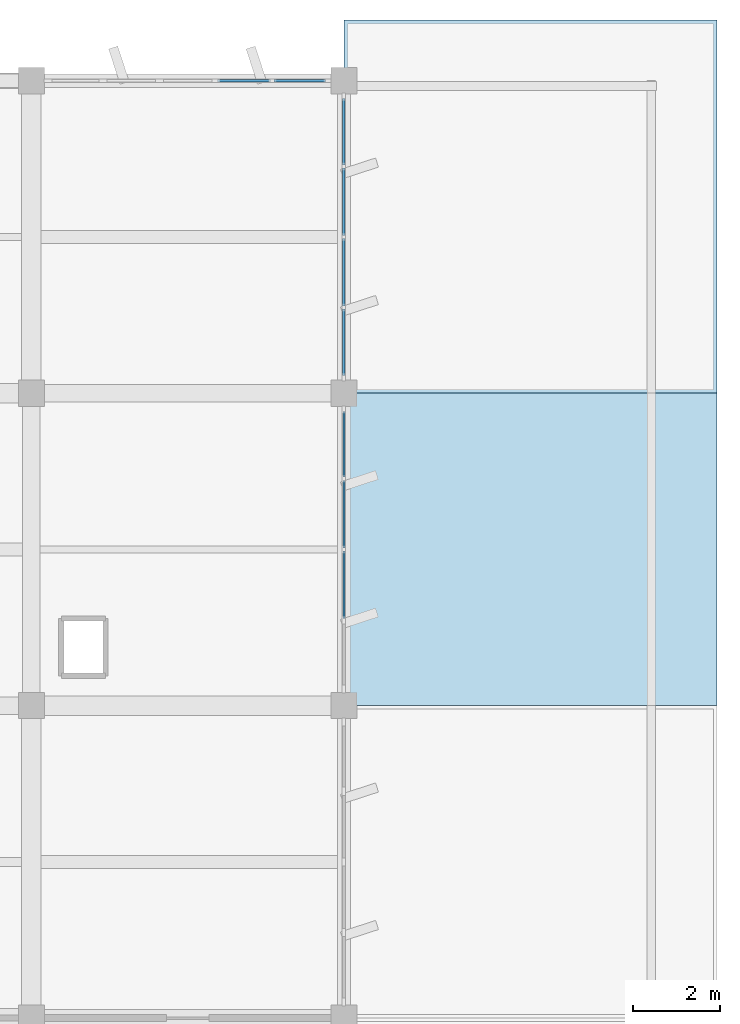
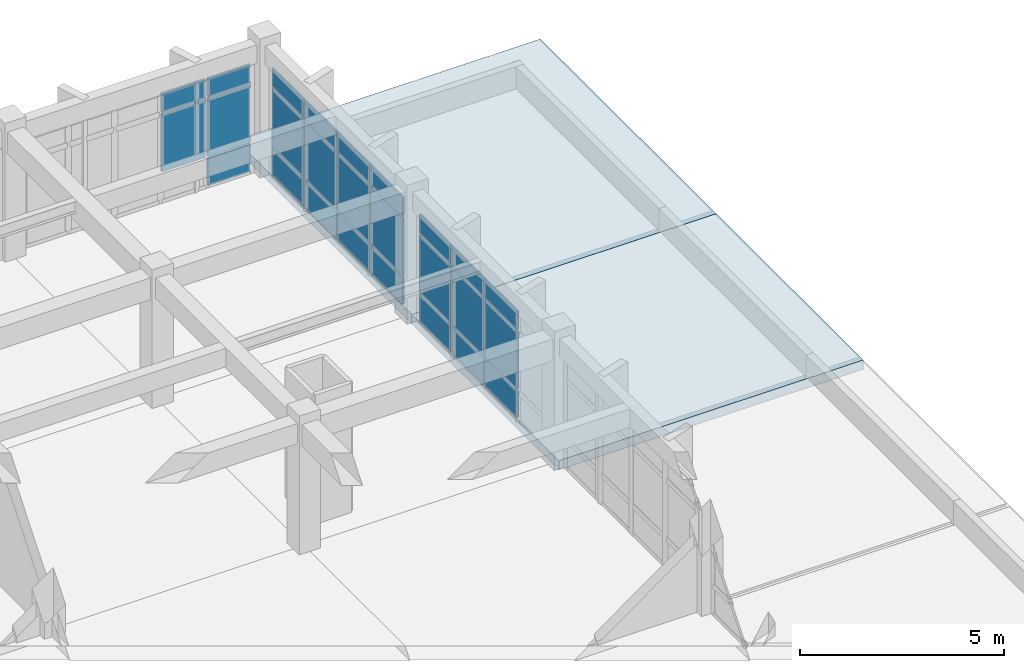
# One storey, part 44 of 62: 26 plates, 2 slabs, 3 elements without a shape of their own.
"""IFC4 building model written with IfcOpenShell, lengths in metres."""

from ifc_helpers import new_model, si_unit, direction, frame, origin, origin_2d, place, context, subcontext, project, spatial, polyline, rectangle, outline, extrude, material, layer, layer_set, type_object, element, aggregate, save


model = new_model("IFC4")

# Units and contexts
model_context = context("Model", 3, precision=1e-05, world=origin(), true_north=direction((0.0, 1.0)))
body_context = subcontext(model_context, "Body", "Model", "MODEL_VIEW")
ifc_project = project(units=[si_unit("LENGTHUNIT", "METRE"), si_unit("AREAUNIT", "SQUARE_METRE"), si_unit("VOLUMEUNIT", "CUBIC_METRE"), si_unit("PLANEANGLEUNIT", "RADIAN"), si_unit("MASSUNIT", "GRAM", prefix="KILO")], contexts=[model_context])

# Site, building, storey
site_placement = place(None, origin())
site = spatial("IfcSite", under=ifc_project, at=site_placement, CompositionType="ELEMENT")
building_placement = place(site_placement, origin())
building = spatial("IfcBuilding", under=site, at=building_placement, Name="Kavelor Marine Aquarium", CompositionType="ELEMENT")
storey_placement = place(building_placement, frame((0.0, 0.0, 13.5)))
storey = spatial("IfcBuildingStorey", under=building, at=storey_placement, Name="L03", CompositionType="ELEMENT", Elevation=13.5)

# Curtain wall, plates
ifc_material_1 = material(Name="Thermally Broken Aluminium and Low-E Glass", Category="aluminium")
ifc_layer_1 = layer(ifc_material_1, 0.243896484375)
ifc_layer_set_1 = layer_set([ifc_layer_1], Name="CW-SYS13")
curtain_wall_type_1 = type_object("IfcCurtainWallType", Name="CW-SYS13", PredefinedType="USERDEFINED", material=ifc_layer_set_1)
curtain_wall_1_placement = place(storey_placement, origin())
curtain_wall_1 = element("IfcCurtainWall", 1, at=curtain_wall_1_placement, inside=storey, type_object=curtain_wall_type_1, Name="cw:y:L03:20_13", ObjectType="Curtain Wall", PredefinedType="USERDEFINED")
ifc_material_2 = material(Name="Solar-Control Double Low-E Glazing", Category="glass")
ifc_layer_2 = layer(ifc_material_2, 0.050048828125)
ifc_layer_set_2 = layer_set([ifc_layer_2], Name="CWP-13")
plate_type_1 = type_object("IfcPlateType", Name="CWP-13", PredefinedType="CURTAIN_PANEL", material=ifc_layer_set_2)
plate_1_placement = place(storey_placement, frame((147.199951171875, 99.186279296875, 0.074951171875), z_axis=(0.0, 0.0, 1.0), x_axis=(0.0, 1.0, 0.0)))
plate_1 = element("IfcPlate", 2, at=plate_1_placement, type_object=plate_type_1, Name="CW13 panel 2.1", PredefinedType="CURTAIN_PANEL", context=body_context, shape_type="SweptSolid", body=[
    extrude(rectangle(XDim=1.552490234375, YDim=0.050048828125, at=origin_2d()), origin(), (0.0, 0.0, 1.0), 0.78759765625),
])
plate_2_placement = place(storey_placement, frame((147.199951171875, 99.186279296875, 0.9375), z_axis=(0.0, 0.0, 1.0), x_axis=(0.0, 1.0, 0.0)))
plate_2 = element("IfcPlate", 3, at=plate_2_placement, type_object=plate_type_1, Name="CW13 panel 2.2", PredefinedType="CURTAIN_PANEL", context=body_context, shape_type="SweptSolid", body=[
    extrude(rectangle(XDim=1.552490234375, YDim=0.050048828125, at=origin_2d()), origin(), (0.0, 0.0, 1.0), 1.695068359375),
])
plate_3_placement = place(storey_placement, frame((147.199951171875, 99.186279296875, 2.70751953125), z_axis=(0.0, 0.0, 1.0), x_axis=(0.0, 1.0, 0.0)))
plate_3 = element("IfcPlate", 4, at=plate_3_placement, type_object=plate_type_1, Name="CW13 panel 2.3", PredefinedType="CURTAIN_PANEL", context=body_context, shape_type="SweptSolid", body=[
    extrude(rectangle(XDim=1.552490234375, YDim=0.050048828125, at=origin_2d()), origin(), (0.0, 0.0, 1.0), 0.53759765625),
])
plate_4_placement = place(storey_placement, frame((147.199951171875, 100.813720703125, 0.074951171875), z_axis=(0.0, 0.0, 1.0), x_axis=(0.0, 1.0, 0.0)))
plate_4 = element("IfcPlate", 5, at=plate_4_placement, type_object=plate_type_1, Name="CW13 panel 3.1", PredefinedType="CURTAIN_PANEL", context=body_context, shape_type="SweptSolid", body=[
    extrude(rectangle(XDim=1.552490234375, YDim=0.050048828125, at=origin_2d()), origin(), (0.0, 0.0, 1.0), 0.78759765625),
])
plate_5_placement = place(storey_placement, frame((147.199951171875, 100.813720703125, 0.9375), z_axis=(0.0, 0.0, 1.0), x_axis=(0.0, 1.0, 0.0)))
plate_5 = element("IfcPlate", 6, at=plate_5_placement, type_object=plate_type_1, Name="CW13 panel 3.2", PredefinedType="CURTAIN_PANEL", context=body_context, shape_type="SweptSolid", body=[
    extrude(rectangle(XDim=1.552490234375, YDim=0.050048828125, at=origin_2d()), origin(), (0.0, 0.0, 1.0), 1.695068359375),
])
plate_6_placement = place(storey_placement, frame((147.199951171875, 100.813720703125, 2.70751953125), z_axis=(0.0, 0.0, 1.0), x_axis=(0.0, 1.0, 0.0)))
plate_6 = element("IfcPlate", 7, at=plate_6_placement, type_object=plate_type_1, Name="CW13 panel 3.3", PredefinedType="CURTAIN_PANEL", context=body_context, shape_type="SweptSolid", body=[
    extrude(rectangle(XDim=1.552490234375, YDim=0.050048828125, at=origin_2d()), origin(), (0.0, 0.0, 1.0), 0.53759765625),
])
plate_7_placement = place(storey_placement, frame((147.199951171875, 102.422607421875, 0.074951171875), z_axis=(0.0, 0.0, 1.0), x_axis=(0.0, 1.0, 0.0)))
plate_7 = element("IfcPlate", 8, at=plate_7_placement, type_object=plate_type_1, Name="CW13 panel 4.1", PredefinedType="CURTAIN_PANEL", context=body_context, shape_type="SweptSolid", body=[
    extrude(rectangle(XDim=1.514892578125, YDim=0.050048828125, at=origin_2d()), origin(), (0.0, 0.0, 1.0), 0.78759765625),
])
plate_8_placement = place(storey_placement, frame((147.199951171875, 102.422607421875, 0.9375), z_axis=(0.0, 0.0, 1.0), x_axis=(0.0, 1.0, 0.0)))
plate_8 = element("IfcPlate", 9, at=plate_8_placement, type_object=plate_type_1, Name="CW13 panel 4.2", PredefinedType="CURTAIN_PANEL", context=body_context, shape_type="SweptSolid", body=[
    extrude(rectangle(XDim=1.514892578125, YDim=0.050048828125, at=origin_2d()), origin(), (0.0, 0.0, 1.0), 1.695068359375),
])
plate_9_placement = place(storey_placement, frame((147.199951171875, 102.422607421875, 2.70751953125), z_axis=(0.0, 0.0, 1.0), x_axis=(0.0, 1.0, 0.0)))
plate_9 = element("IfcPlate", 10, at=plate_9_placement, type_object=plate_type_1, Name="CW13 panel 4.3", PredefinedType="CURTAIN_PANEL", context=body_context, shape_type="SweptSolid", body=[
    extrude(rectangle(XDim=1.514892578125, YDim=0.050048828125, at=origin_2d()), origin(), (0.0, 0.0, 1.0), 0.53759765625),
])
aggregate(curtain_wall_1, [plate_1, plate_2, plate_3, plate_4, plate_5, plate_6, plate_7, plate_8, plate_9])

ifc_material_3 = material(Name="Thermally Broken Aluminium and Low-E Glass", Category="aluminium")
ifc_layer_3 = layer(ifc_material_3, 0.251953125)
ifc_layer_set_3 = layer_set([ifc_layer_3], Name="CW-SYS14")
curtain_wall_type_2 = type_object("IfcCurtainWallType", Name="CW-SYS14", PredefinedType="USERDEFINED", material=ifc_layer_set_3)
curtain_wall_2_placement = place(storey_placement, origin())
curtain_wall_2 = element("IfcCurtainWall", 11, at=curtain_wall_2_placement, inside=storey, type_object=curtain_wall_type_2, Name="cw:y:L03:20_14", ObjectType="Curtain Wall", PredefinedType="USERDEFINED")
ifc_material_4 = material(Name="Solar-Control Double Low-E Glazing", Category="glass")
ifc_layer_4 = layer(ifc_material_4, 0.052001953125)
ifc_layer_set_4 = layer_set([ifc_layer_4], Name="CWP-14")
plate_type_2 = type_object("IfcPlateType", Name="CWP-14", PredefinedType="CURTAIN_PANEL", material=ifc_layer_set_4)
plate_10_placement = place(storey_placement, frame((147.199951171875, 104.77490234375, 0.06494140625), z_axis=(0.0, 0.0, 1.0), x_axis=(0.0, 1.0, 0.0)))
plate_10 = element("IfcPlate", 12, at=plate_10_placement, type_object=plate_type_2, Name="CW14 panel 1.1", PredefinedType="CURTAIN_PANEL", context=body_context, shape_type="SweptSolid", body=[
    extrude(rectangle(XDim=1.530029296875, YDim=0.052001953125, at=origin_2d()), origin(), (0.0, 0.0, 1.0), 0.802490234375),
])
plate_11_placement = place(storey_placement, frame((147.199951171875, 104.77490234375, 0.932373046875), z_axis=(0.0, 0.0, 1.0), x_axis=(0.0, 1.0, 0.0)))
plate_11 = element("IfcPlate", 13, at=plate_11_placement, type_object=plate_type_2, Name="CW14 panel 1.2", PredefinedType="CURTAIN_PANEL", context=body_context, shape_type="SweptSolid", body=[
    extrude(rectangle(XDim=1.530029296875, YDim=0.052001953125, at=origin_2d()), origin(), (0.0, 0.0, 1.0), 1.705078125),
])
plate_12_placement = place(storey_placement, frame((147.199951171875, 104.77490234375, 2.70263671875), z_axis=(0.0, 0.0, 1.0), x_axis=(0.0, 1.0, 0.0)))
plate_12 = element("IfcPlate", 14, at=plate_12_placement, type_object=plate_type_2, Name="CW14 panel 1.3", PredefinedType="CURTAIN_PANEL", context=body_context, shape_type="SweptSolid", body=[
    extrude(rectangle(XDim=1.530029296875, YDim=0.052001953125, at=origin_2d()), origin(), (0.0, 0.0, 1.0), 0.552490234375),
])
plate_13_placement = place(storey_placement, frame((147.199951171875, 106.38623046875, 0.06494140625), z_axis=(0.0, 0.0, 1.0), x_axis=(0.0, 1.0, 0.0)))
plate_13 = element("IfcPlate", 15, at=plate_13_placement, type_object=plate_type_2, Name="CW14 panel 2.1", PredefinedType="CURTAIN_PANEL", context=body_context, shape_type="SweptSolid", body=[
    extrude(rectangle(XDim=1.5625, YDim=0.052001953125, at=origin_2d()), origin(), (0.0, 0.0, 1.0), 0.802490234375),
])
plate_14_placement = place(storey_placement, frame((147.199951171875, 106.38623046875, 0.932373046875), z_axis=(0.0, 0.0, 1.0), x_axis=(0.0, 1.0, 0.0)))
plate_14 = element("IfcPlate", 16, at=plate_14_placement, type_object=plate_type_2, Name="CW14 panel 2.2", PredefinedType="CURTAIN_PANEL", context=body_context, shape_type="SweptSolid", body=[
    extrude(rectangle(XDim=1.5625, YDim=0.052001953125, at=origin_2d()), origin(), (0.0, 0.0, 1.0), 1.705078125),
])
plate_15_placement = place(storey_placement, frame((147.199951171875, 106.38623046875, 2.70263671875), z_axis=(0.0, 0.0, 1.0), x_axis=(0.0, 1.0, 0.0)))
plate_15 = element("IfcPlate", 17, at=plate_15_placement, type_object=plate_type_2, Name="CW14 panel 2.3", PredefinedType="CURTAIN_PANEL", context=body_context, shape_type="SweptSolid", body=[
    extrude(rectangle(XDim=1.5625, YDim=0.052001953125, at=origin_2d()), origin(), (0.0, 0.0, 1.0), 0.552490234375),
])
plate_16_placement = place(storey_placement, frame((147.199951171875, 108.013671875, 0.06494140625), z_axis=(0.0, 0.0, 1.0), x_axis=(0.0, 1.0, 0.0)))
plate_16 = element("IfcPlate", 18, at=plate_16_placement, type_object=plate_type_2, Name="CW14 panel 3.1", PredefinedType="CURTAIN_PANEL", context=body_context, shape_type="SweptSolid", body=[
    extrude(rectangle(XDim=1.5625, YDim=0.052001953125, at=origin_2d()), origin(), (0.0, 0.0, 1.0), 0.802490234375),
])
plate_17_placement = place(storey_placement, frame((147.199951171875, 108.013671875, 0.932373046875), z_axis=(0.0, 0.0, 1.0), x_axis=(0.0, 1.0, 0.0)))
plate_17 = element("IfcPlate", 19, at=plate_17_placement, type_object=plate_type_2, Name="CW14 panel 3.2", PredefinedType="CURTAIN_PANEL", context=body_context, shape_type="SweptSolid", body=[
    extrude(rectangle(XDim=1.5625, YDim=0.052001953125, at=origin_2d()), origin(), (0.0, 0.0, 1.0), 1.705078125),
])
plate_18_placement = place(storey_placement, frame((147.199951171875, 108.013671875, 2.70263671875), z_axis=(0.0, 0.0, 1.0), x_axis=(0.0, 1.0, 0.0)))
plate_18 = element("IfcPlate", 20, at=plate_18_placement, type_object=plate_type_2, Name="CW14 panel 3.3", PredefinedType="CURTAIN_PANEL", context=body_context, shape_type="SweptSolid", body=[
    extrude(rectangle(XDim=1.5625, YDim=0.052001953125, at=origin_2d()), origin(), (0.0, 0.0, 1.0), 0.552490234375),
])
plate_19_placement = place(storey_placement, frame((147.199951171875, 109.625, 0.06494140625), z_axis=(0.0, 0.0, 1.0), x_axis=(0.0, 1.0, 0.0)))
plate_19 = element("IfcPlate", 21, at=plate_19_placement, type_object=plate_type_2, Name="CW14 panel 4.1", PredefinedType="CURTAIN_PANEL", context=body_context, shape_type="SweptSolid", body=[
    extrude(rectangle(XDim=1.530029296875, YDim=0.052001953125, at=origin_2d()), origin(), (0.0, 0.0, 1.0), 0.802490234375),
])
plate_20_placement = place(storey_placement, frame((147.199951171875, 109.625, 0.932373046875), z_axis=(0.0, 0.0, 1.0), x_axis=(0.0, 1.0, 0.0)))
plate_20 = element("IfcPlate", 22, at=plate_20_placement, type_object=plate_type_2, Name="CW14 panel 4.2", PredefinedType="CURTAIN_PANEL", context=body_context, shape_type="SweptSolid", body=[
    extrude(rectangle(XDim=1.530029296875, YDim=0.052001953125, at=origin_2d()), origin(), (0.0, 0.0, 1.0), 1.705078125),
])
plate_21_placement = place(storey_placement, frame((147.199951171875, 109.625, 2.70263671875), z_axis=(0.0, 0.0, 1.0), x_axis=(0.0, 1.0, 0.0)))
plate_21 = element("IfcPlate", 23, at=plate_21_placement, type_object=plate_type_2, Name="CW14 panel 4.3", PredefinedType="CURTAIN_PANEL", context=body_context, shape_type="SweptSolid", body=[
    extrude(rectangle(XDim=1.530029296875, YDim=0.052001953125, at=origin_2d()), origin(), (0.0, 0.0, 1.0), 0.552490234375),
])
aggregate(curtain_wall_2, [plate_10, plate_11, plate_12, plate_13, plate_14, plate_15, plate_16, plate_17, plate_18, plate_19, plate_20, plate_21])

ifc_material_5 = material(Name="Thermally Broken Aluminium and Low-E Glass", Category="aluminium")
ifc_layer_5 = layer(ifc_material_5, 0.219970703125)
ifc_layer_set_5 = layer_set([ifc_layer_5], Name="CW-SYS10")
curtain_wall_type_3 = type_object("IfcCurtainWallType", Name="CW-SYS10", PredefinedType="USERDEFINED", material=ifc_layer_set_5)
curtain_wall_3_placement = place(storey_placement, origin())
curtain_wall_3 = element("IfcCurtainWall", 24, at=curtain_wall_3_placement, inside=storey, type_object=curtain_wall_type_3, Name="cw:x:L03:19_15", ObjectType="Curtain Wall", PredefinedType="USERDEFINED")
ifc_material_6 = material(Name="Solar-Control Double Low-E Glazing", Category="glass")
ifc_layer_6 = layer(ifc_material_6, 0.068115234375)
ifc_layer_set_6 = layer_set([ifc_layer_6], Name="CWP-22")
plate_type_3 = type_object("IfcPlateType", Name="CWP-22", PredefinedType="CURTAIN_PANEL", material=ifc_layer_set_6)
plate_22_placement = place(storey_placement, frame((144.902099609375, 110.800048828125, 0.929931640625), z_axis=(0.0, 0.0, 1.0), x_axis=(1.0, 0.0, 0.0)))
plate_22 = element("IfcPlate", 25, at=plate_22_placement, type_object=plate_type_3, Name="CW10 panel 4.2", PredefinedType="CURTAIN_PANEL", context=body_context, shape_type="SweptSolid", body=[
    extrude(rectangle(XDim=1.22705078125, YDim=0.068115234375, at=origin_2d()), origin(), (0.0, 0.0, 1.0), 1.7099609375),
])
plate_23_placement = place(storey_placement, frame((144.902099609375, 110.800048828125, 2.699951171875), z_axis=(0.0, 0.0, 1.0), x_axis=(1.0, 0.0, 0.0)))
plate_23 = element("IfcPlate", 26, at=plate_23_placement, type_object=plate_type_3, Name="CW10 panel 4.3", PredefinedType="CURTAIN_PANEL", context=body_context, shape_type="SweptSolid", body=[
    extrude(rectangle(XDim=1.22705078125, YDim=0.068115234375, at=origin_2d()), origin(), (0.0, 0.0, 1.0), 0.56005859375),
])
plate_24_placement = place(storey_placement, frame((146.185302734375, 110.800048828125, 0.06005859375), z_axis=(0.0, 0.0, 1.0), x_axis=(1.0, 0.0, 0.0)))
plate_24 = element("IfcPlate", 27, at=plate_24_placement, type_object=plate_type_3, Name="CW10 panel 5.1", PredefinedType="CURTAIN_PANEL", context=body_context, shape_type="SweptSolid", body=[
    extrude(rectangle(XDim=1.189453125, YDim=0.068115234375, at=origin_2d()), origin(), (0.0, 0.0, 1.0), 0.81005859375),
])
plate_25_placement = place(storey_placement, frame((146.185302734375, 110.800048828125, 0.929931640625), z_axis=(0.0, 0.0, 1.0), x_axis=(1.0, 0.0, 0.0)))
plate_25 = element("IfcPlate", 28, at=plate_25_placement, type_object=plate_type_3, Name="CW10 panel 5.2", PredefinedType="CURTAIN_PANEL", context=body_context, shape_type="SweptSolid", body=[
    extrude(rectangle(XDim=1.189453125, YDim=0.068115234375, at=origin_2d()), origin(), (0.0, 0.0, 1.0), 1.7099609375),
])
plate_26_placement = place(storey_placement, frame((146.185302734375, 110.800048828125, 2.699951171875), z_axis=(0.0, 0.0, 1.0), x_axis=(1.0, 0.0, 0.0)))
plate_26 = element("IfcPlate", 29, at=plate_26_placement, type_object=plate_type_3, Name="CW10 panel 5.3", PredefinedType="CURTAIN_PANEL", context=body_context, shape_type="SweptSolid", body=[
    extrude(rectangle(XDim=1.189453125, YDim=0.068115234375, at=origin_2d()), origin(), (0.0, 0.0, 1.0), 0.56005859375),
])
aggregate(curtain_wall_3, [plate_22, plate_23, plate_24, plate_25, plate_26])

# Slabs
ifc_material_7 = material(Name="Concrete C40/50", Category="concrete")
ifc_layer_7 = layer(ifc_material_7, 0.280029296875)
ifc_layer_set_7 = layer_set([ifc_layer_7], Name="SL-RF1")
slab_type = type_object("IfcSlabType", Name="SL-RF1", PredefinedType="ROOF", material=ifc_layer_set_7)
slab_1_placement = place(storey_placement, frame((0.0, 0.0, -0.280029296875)))
element("IfcSlab", 30, at=slab_1_placement, inside=storey, type_object=slab_type, Name="roof:L03:20_13", PredefinedType="ROOF", context=body_context, shape_type="SweptSolid", body=[
    extrude(outline(polyline([(147.199951171875, 96.39990234375), (155.800048828125, 96.39990234375), (155.800048828125, 103.60009765625), (147.199951171875, 103.60009765625), (147.199951171875, 96.39990234375)])), origin(), (0.0, 0.0, 1.0), 0.280029296875),
])
slab_2_placement = place(storey_placement, frame((0.0, 0.0, -0.280029296875)))
element("IfcSlab", 31, at=slab_2_placement, inside=storey, type_object=slab_type, Name="roof:L03:20_14", PredefinedType="ROOF", context=body_context, shape_type="SweptSolid", body=[
    extrude(outline(polyline([(147.199951171875, 103.60009765625), (155.800048828125, 103.60009765625), (155.800048828125, 112.199951171875), (147.199951171875, 112.199951171875), (147.199951171875, 103.60009765625)])), origin(), (0.0, 0.0, 1.0), 0.280029296875),
])

save(model, "model.ifc")
